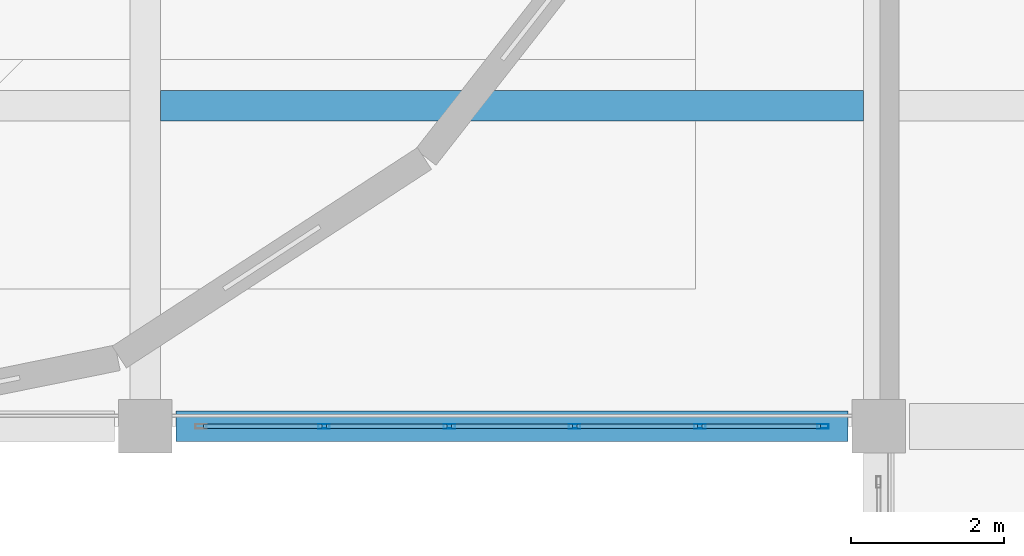
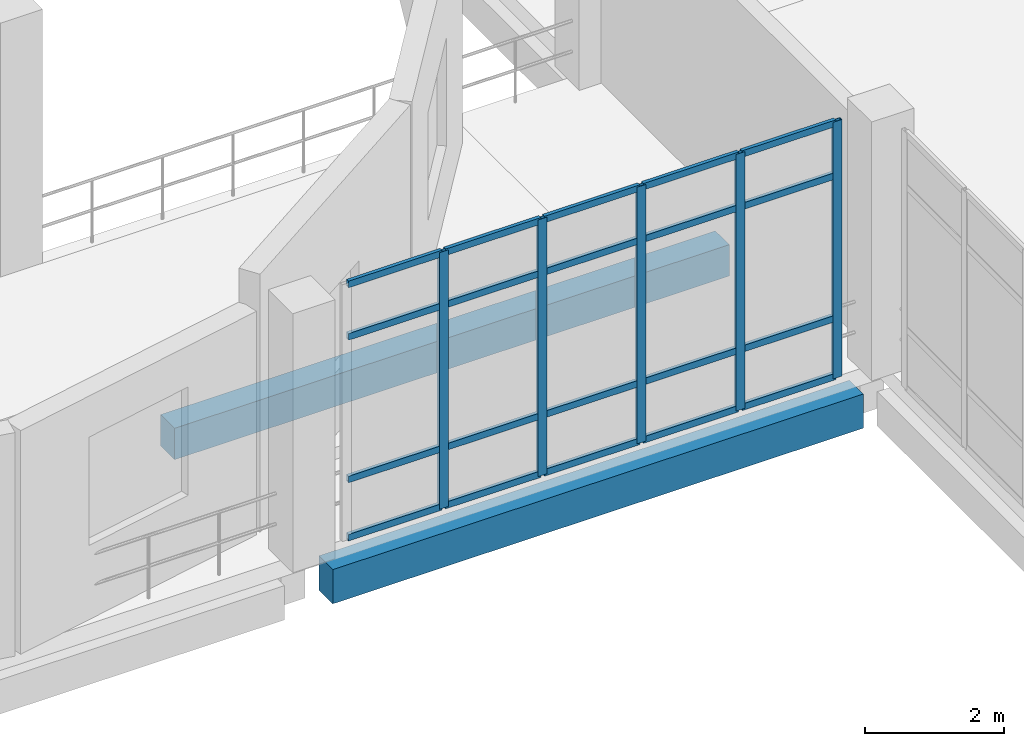
# One storey, part 46 of 102: 25 members, 2 beams, 1 element without a shape of its own.
"""IFC4 building model written with IfcOpenShell, lengths in metres."""

from ifc_helpers import new_model, si_unit, direction, frame, origin, origin_2d, place, context, subcontext, project, spatial, rectangle, hollow_rectangle, extrude, material, layer, layer_set, material_profile, profile_set, type_object, element, aggregate, save


model = new_model("IFC4")

# Units and contexts
model_context = context("Model", 3, precision=1e-05, world=origin(), true_north=direction((0.0, 1.0)))
body_context = subcontext(model_context, "Body", "Model", "MODEL_VIEW")
ifc_project = project(units=[si_unit("LENGTHUNIT", "METRE"), si_unit("AREAUNIT", "SQUARE_METRE"), si_unit("VOLUMEUNIT", "CUBIC_METRE"), si_unit("PLANEANGLEUNIT", "RADIAN"), si_unit("MASSUNIT", "GRAM", prefix="KILO")], contexts=[model_context])

# Site, building, storey
site_placement = place(None, origin())
site = spatial("IfcSite", under=ifc_project, at=site_placement, CompositionType="ELEMENT")
building_placement = place(site_placement, origin())
building = spatial("IfcBuilding", under=site, at=building_placement, Name="Lornevale Opera House", CompositionType="ELEMENT")
storey_placement = place(building_placement, frame((0.0, 0.0, 5.39990234375)))
storey = spatial("IfcBuildingStorey", under=building, at=storey_placement, Name="L02", CompositionType="ELEMENT", Elevation=5.39990234375)

# Beams
ifc_material_1 = material(Name="Concrete 35 MPa (CSA A23.1 N)", Category="concrete")
ifc_material_profile_1 = material_profile(ifc_material_1, rectangle(XDim=0.39990234375, YDim=0.550048828125, at=origin_2d()), Name="RC400x550")
ifc_profile_set_1 = profile_set([ifc_material_profile_1], Name="Concrete 35 MPa (CSA A23.1 N)")
beam_type_1 = type_object("IfcBeamType", Name="Auditorium Tier Raker Beam 400x550", PredefinedType="JOIST", material=ifc_profile_set_1)
beam_1_placement = place(storey_placement, frame((86.60009765625, 37.800048828125, -0.574951171875), z_axis=(1.0, 0.0, 0.0), x_axis=(0.0, 1.0, 0.0)))
element("IfcBeam", 1, at=beam_1_placement, inside=storey, type_object=beam_type_1, Name="Auditorium Tier Raker Beam 400x550 2030", PredefinedType="JOIST", context=body_context, shape_type="SweptSolid", body=[
    extrude(rectangle(XDim=0.39990234375, YDim=0.550048828125, at=origin_2d()), origin(), (0.0, 0.0, 1.0), 9.199951171875),
])
ifc_material_profile_2 = material_profile(ifc_material_1, rectangle(XDim=0.39990234375, YDim=0.60009765625, at=origin_2d()), Name="RC400x600")
ifc_profile_set_2 = profile_set([ifc_material_profile_2], Name="Concrete 35 MPa (CSA A23.1 N)")
beam_type_2 = type_object("IfcBeamType", Name="Concrete Spandrel Beam 400x600", PredefinedType="SPANDREL", material=ifc_profile_set_2)
beam_2_placement = place(storey_placement, frame((86.800048828125, 33.60009765625, -0.599853515625), z_axis=(1.0, 0.0, 0.0), x_axis=(0.0, 1.0, 0.0)))
element("IfcBeam", 2, at=beam_2_placement, inside=storey, type_object=beam_type_2, Name="Concrete Spandrel Beam 400x600 1715", PredefinedType="SPANDREL", context=body_context, shape_type="SweptSolid", body=[
    extrude(rectangle(XDim=0.39990234375, YDim=0.60009765625, at=origin_2d()), origin(), (0.0, 0.0, 1.0), 8.800048828125),
])

# Curtain wall, members
ifc_material_2 = material(Name="Anodized Oxide-Green Aluminium Framing", Category="aluminium")
ifc_layer = layer(ifc_material_2, 0.14990234375)
ifc_layer_set = layer_set([ifc_layer], Name="Anodized Oxide-Green Aluminium Framing")
curtain_wall_type = type_object("IfcCurtainWallType", Name="North-Light Clerestory Curtain Wall M1600", PredefinedType="NOTDEFINED", material=ifc_layer_set)
curtain_wall_placement = place(storey_placement, origin())
curtain_wall = element("IfcCurtainWall", 3, at=curtain_wall_placement, inside=storey, type_object=curtain_wall_type, Name="North-Light Clerestory Curtain Wall M1600 CW-176", PredefinedType="NOTDEFINED")
ifc_material_profile_3 = material_profile(ifc_material_2, hollow_rectangle(XDim=0.06005859375, YDim=0.14990234375, WallThickness=0.00390625, at=origin_2d()), Name="ALU60x150x4")
ifc_profile_set_3 = profile_set([ifc_material_profile_3], Name="Anodized Oxide-Green Aluminium Framing")
member_type_1 = type_object("IfcMemberType", Name="Curtain Wall Mullion 60x150", PredefinedType="MULLION", material=ifc_profile_set_3)
member_1_placement = place(storey_placement, frame((88.739990234375, 33.60009765625, 0.0), z_axis=(0.0, 0.0, 1.0), x_axis=(0.0, 1.0, 0.0)))
member_1 = element("IfcMember", 4, at=member_1_placement, type_object=member_type_1, Name="Curtain Wall Mullion 60x150 CW3633", PredefinedType="MULLION", context=body_context, shape_type="SweptSolid", body=[
    extrude(hollow_rectangle(XDim=0.06005859375, YDim=0.14990234375, WallThickness=0.00390625, at=origin_2d()), origin(), (0.0, 0.0, 1.0), 4.5),
])
member_2_placement = place(storey_placement, frame((90.3798828125, 33.60009765625, 0.0), z_axis=(0.0, 0.0, 1.0), x_axis=(0.0, 1.0, 0.0)))
member_2 = element("IfcMember", 5, at=member_2_placement, type_object=member_type_1, Name="Curtain Wall Mullion 60x150 CW3634", PredefinedType="MULLION", context=body_context, shape_type="SweptSolid", body=[
    extrude(hollow_rectangle(XDim=0.06005859375, YDim=0.14990234375, WallThickness=0.00390625, at=origin_2d()), origin(), (0.0, 0.0, 1.0), 4.5),
])
member_3_placement = place(storey_placement, frame((92.02001953125, 33.60009765625, 0.0), z_axis=(0.0, 0.0, 1.0), x_axis=(0.0, 1.0, 0.0)))
member_3 = element("IfcMember", 6, at=member_3_placement, type_object=member_type_1, Name="Curtain Wall Mullion 60x150 CW3635", PredefinedType="MULLION", context=body_context, shape_type="SweptSolid", body=[
    extrude(hollow_rectangle(XDim=0.06005859375, YDim=0.14990234375, WallThickness=0.00390625, at=origin_2d()), origin(), (0.0, 0.0, 1.0), 4.5),
])
member_4_placement = place(storey_placement, frame((93.659912109375, 33.60009765625, 0.0), z_axis=(0.0, 0.0, 1.0), x_axis=(0.0, 1.0, 0.0)))
member_4 = element("IfcMember", 7, at=member_4_placement, type_object=member_type_1, Name="Curtain Wall Mullion 60x150 CW3636", PredefinedType="MULLION", context=body_context, shape_type="SweptSolid", body=[
    extrude(hollow_rectangle(XDim=0.06005859375, YDim=0.14990234375, WallThickness=0.00390625, at=origin_2d()), origin(), (0.0, 0.0, 1.0), 4.5),
])
member_5_placement = place(storey_placement, frame((95.27001953125, 33.60009765625, 0.0), z_axis=(0.0, 0.0, 1.0), x_axis=(0.0, 1.0, 0.0)))
member_5 = element("IfcMember", 8, at=member_5_placement, type_object=member_type_1, Name="Curtain Wall Mullion 60x150 CW3637", PredefinedType="MULLION", context=body_context, shape_type="SweptSolid", body=[
    extrude(hollow_rectangle(XDim=0.06005859375, YDim=0.14990234375, WallThickness=0.00390625, at=origin_2d()), origin(), (0.0, 0.0, 1.0), 4.5),
])
ifc_material_profile_4 = material_profile(ifc_material_2, hollow_rectangle(XDim=0.06005859375, YDim=0.114990234375, WallThickness=0.00390625, at=origin_2d()), Name="ALU60x115x4")
ifc_profile_set_4 = profile_set([ifc_material_profile_4], Name="Anodized Oxide-Green Aluminium Framing")
member_type_2 = type_object("IfcMemberType", Name="Curtain Wall Transom 60x115", PredefinedType="USERDEFINED", material=ifc_profile_set_4)
member_6_placement = place(storey_placement, frame((87.159912109375, 33.60009765625, 0.030029296875), z_axis=(1.0, 0.0, 0.0), x_axis=(0.0, 1.0, 0.0)))
member_6 = element("IfcMember", 9, at=member_6_placement, type_object=member_type_2, Name="Curtain Wall Transom 60x115 CW3638", ObjectType="TRANSOM", PredefinedType="USERDEFINED", context=body_context, shape_type="SweptSolid", body=[
    extrude(hollow_rectangle(XDim=0.06005859375, YDim=0.114990234375, WallThickness=0.00390625, at=origin_2d()), origin(), (0.0, 0.0, 1.0), 1.550048828125),
])
member_7_placement = place(storey_placement, frame((87.159912109375, 33.60009765625, 1.050048828125), z_axis=(1.0, 0.0, 0.0), x_axis=(0.0, 1.0, 0.0)))
member_7 = element("IfcMember", 10, at=member_7_placement, type_object=member_type_2, Name="Curtain Wall Transom 60x115 CW3639", ObjectType="TRANSOM", PredefinedType="USERDEFINED", context=body_context, shape_type="SweptSolid", body=[
    extrude(hollow_rectangle(XDim=0.06005859375, YDim=0.114990234375, WallThickness=0.00390625, at=origin_2d()), origin(), (0.0, 0.0, 1.0), 1.550048828125),
])
member_8_placement = place(storey_placement, frame((87.159912109375, 33.60009765625, 3.550048828125), z_axis=(1.0, 0.0, 0.0), x_axis=(0.0, 1.0, 0.0)))
member_8 = element("IfcMember", 11, at=member_8_placement, type_object=member_type_2, Name="Curtain Wall Transom 60x115 CW3640", ObjectType="TRANSOM", PredefinedType="USERDEFINED", context=body_context, shape_type="SweptSolid", body=[
    extrude(hollow_rectangle(XDim=0.06005859375, YDim=0.114990234375, WallThickness=0.00390625, at=origin_2d()), origin(), (0.0, 0.0, 1.0), 1.550048828125),
])
member_9_placement = place(storey_placement, frame((87.159912109375, 33.60009765625, 4.47021484375), z_axis=(1.0, 0.0, 0.0), x_axis=(0.0, 1.0, 0.0)))
member_9 = element("IfcMember", 12, at=member_9_placement, type_object=member_type_2, Name="Curtain Wall Transom 60x115 CW3641", ObjectType="TRANSOM", PredefinedType="USERDEFINED", context=body_context, shape_type="SweptSolid", body=[
    extrude(hollow_rectangle(XDim=0.06005859375, YDim=0.114990234375, WallThickness=0.00390625, at=origin_2d()), origin(), (0.0, 0.0, 1.0), 1.550048828125),
])
member_10_placement = place(storey_placement, frame((88.77001953125, 33.60009765625, 0.030029296875), z_axis=(1.0, 0.0, 0.0), x_axis=(0.0, 1.0, 0.0)))
member_10 = element("IfcMember", 13, at=member_10_placement, type_object=member_type_2, Name="Curtain Wall Transom 60x115 CW3645", ObjectType="TRANSOM", PredefinedType="USERDEFINED", context=body_context, shape_type="SweptSolid", body=[
    extrude(hollow_rectangle(XDim=0.06005859375, YDim=0.114990234375, WallThickness=0.00390625, at=origin_2d()), origin(), (0.0, 0.0, 1.0), 1.580078125),
])
member_11_placement = place(storey_placement, frame((88.77001953125, 33.60009765625, 1.050048828125), z_axis=(1.0, 0.0, 0.0), x_axis=(0.0, 1.0, 0.0)))
member_11 = element("IfcMember", 14, at=member_11_placement, type_object=member_type_2, Name="Curtain Wall Transom 60x115 CW3646", ObjectType="TRANSOM", PredefinedType="USERDEFINED", context=body_context, shape_type="SweptSolid", body=[
    extrude(hollow_rectangle(XDim=0.06005859375, YDim=0.114990234375, WallThickness=0.00390625, at=origin_2d()), origin(), (0.0, 0.0, 1.0), 1.580078125),
])
member_12_placement = place(storey_placement, frame((88.77001953125, 33.60009765625, 3.550048828125), z_axis=(1.0, 0.0, 0.0), x_axis=(0.0, 1.0, 0.0)))
member_12 = element("IfcMember", 15, at=member_12_placement, type_object=member_type_2, Name="Curtain Wall Transom 60x115 CW3647", ObjectType="TRANSOM", PredefinedType="USERDEFINED", context=body_context, shape_type="SweptSolid", body=[
    extrude(hollow_rectangle(XDim=0.06005859375, YDim=0.114990234375, WallThickness=0.00390625, at=origin_2d()), origin(), (0.0, 0.0, 1.0), 1.580078125),
])
member_13_placement = place(storey_placement, frame((88.77001953125, 33.60009765625, 4.47021484375), z_axis=(1.0, 0.0, 0.0), x_axis=(0.0, 1.0, 0.0)))
member_13 = element("IfcMember", 16, at=member_13_placement, type_object=member_type_2, Name="Curtain Wall Transom 60x115 CW3648", ObjectType="TRANSOM", PredefinedType="USERDEFINED", context=body_context, shape_type="SweptSolid", body=[
    extrude(hollow_rectangle(XDim=0.06005859375, YDim=0.114990234375, WallThickness=0.00390625, at=origin_2d()), origin(), (0.0, 0.0, 1.0), 1.580078125),
])
member_14_placement = place(storey_placement, frame((90.409912109375, 33.60009765625, 0.030029296875), z_axis=(1.0, 0.0, 0.0), x_axis=(0.0, 1.0, 0.0)))
member_14 = element("IfcMember", 17, at=member_14_placement, type_object=member_type_2, Name="Curtain Wall Transom 60x115 CW3652", ObjectType="TRANSOM", PredefinedType="USERDEFINED", context=body_context, shape_type="SweptSolid", body=[
    extrude(hollow_rectangle(XDim=0.06005859375, YDim=0.114990234375, WallThickness=0.00390625, at=origin_2d()), origin(), (0.0, 0.0, 1.0), 1.580078125),
])
member_15_placement = place(storey_placement, frame((90.409912109375, 33.60009765625, 1.050048828125), z_axis=(1.0, 0.0, 0.0), x_axis=(0.0, 1.0, 0.0)))
member_15 = element("IfcMember", 18, at=member_15_placement, type_object=member_type_2, Name="Curtain Wall Transom 60x115 CW3653", ObjectType="TRANSOM", PredefinedType="USERDEFINED", context=body_context, shape_type="SweptSolid", body=[
    extrude(hollow_rectangle(XDim=0.06005859375, YDim=0.114990234375, WallThickness=0.00390625, at=origin_2d()), origin(), (0.0, 0.0, 1.0), 1.580078125),
])
member_16_placement = place(storey_placement, frame((90.409912109375, 33.60009765625, 3.550048828125), z_axis=(1.0, 0.0, 0.0), x_axis=(0.0, 1.0, 0.0)))
member_16 = element("IfcMember", 19, at=member_16_placement, type_object=member_type_2, Name="Curtain Wall Transom 60x115 CW3654", ObjectType="TRANSOM", PredefinedType="USERDEFINED", context=body_context, shape_type="SweptSolid", body=[
    extrude(hollow_rectangle(XDim=0.06005859375, YDim=0.114990234375, WallThickness=0.00390625, at=origin_2d()), origin(), (0.0, 0.0, 1.0), 1.580078125),
])
member_17_placement = place(storey_placement, frame((90.409912109375, 33.60009765625, 4.47021484375), z_axis=(1.0, 0.0, 0.0), x_axis=(0.0, 1.0, 0.0)))
member_17 = element("IfcMember", 20, at=member_17_placement, type_object=member_type_2, Name="Curtain Wall Transom 60x115 CW3655", ObjectType="TRANSOM", PredefinedType="USERDEFINED", context=body_context, shape_type="SweptSolid", body=[
    extrude(hollow_rectangle(XDim=0.06005859375, YDim=0.114990234375, WallThickness=0.00390625, at=origin_2d()), origin(), (0.0, 0.0, 1.0), 1.580078125),
])
member_18_placement = place(storey_placement, frame((92.050048828125, 33.60009765625, 0.030029296875), z_axis=(1.0, 0.0, 0.0), x_axis=(0.0, 1.0, 0.0)))
member_18 = element("IfcMember", 21, at=member_18_placement, type_object=member_type_2, Name="Curtain Wall Transom 60x115 CW3659", ObjectType="TRANSOM", PredefinedType="USERDEFINED", context=body_context, shape_type="SweptSolid", body=[
    extrude(hollow_rectangle(XDim=0.06005859375, YDim=0.114990234375, WallThickness=0.00390625, at=origin_2d()), origin(), (0.0, 0.0, 1.0), 1.579833984375),
])
member_19_placement = place(storey_placement, frame((92.050048828125, 33.60009765625, 1.050048828125), z_axis=(1.0, 0.0, 0.0), x_axis=(0.0, 1.0, 0.0)))
member_19 = element("IfcMember", 22, at=member_19_placement, type_object=member_type_2, Name="Curtain Wall Transom 60x115 CW3660", ObjectType="TRANSOM", PredefinedType="USERDEFINED", context=body_context, shape_type="SweptSolid", body=[
    extrude(hollow_rectangle(XDim=0.06005859375, YDim=0.114990234375, WallThickness=0.00390625, at=origin_2d()), origin(), (0.0, 0.0, 1.0), 1.579833984375),
])
member_20_placement = place(storey_placement, frame((92.050048828125, 33.60009765625, 3.550048828125), z_axis=(1.0, 0.0, 0.0), x_axis=(0.0, 1.0, 0.0)))
member_20 = element("IfcMember", 23, at=member_20_placement, type_object=member_type_2, Name="Curtain Wall Transom 60x115 CW3661", ObjectType="TRANSOM", PredefinedType="USERDEFINED", context=body_context, shape_type="SweptSolid", body=[
    extrude(hollow_rectangle(XDim=0.06005859375, YDim=0.114990234375, WallThickness=0.00390625, at=origin_2d()), origin(), (0.0, 0.0, 1.0), 1.579833984375),
])
member_21_placement = place(storey_placement, frame((92.050048828125, 33.60009765625, 4.47021484375), z_axis=(1.0, 0.0, 0.0), x_axis=(0.0, 1.0, 0.0)))
member_21 = element("IfcMember", 24, at=member_21_placement, type_object=member_type_2, Name="Curtain Wall Transom 60x115 CW3662", ObjectType="TRANSOM", PredefinedType="USERDEFINED", context=body_context, shape_type="SweptSolid", body=[
    extrude(hollow_rectangle(XDim=0.06005859375, YDim=0.114990234375, WallThickness=0.00390625, at=origin_2d()), origin(), (0.0, 0.0, 1.0), 1.579833984375),
])
member_22_placement = place(storey_placement, frame((93.68994140625, 33.60009765625, 0.030029296875), z_axis=(1.0, 0.0, 0.0), x_axis=(0.0, 1.0, 0.0)))
member_22 = element("IfcMember", 25, at=member_22_placement, type_object=member_type_2, Name="Curtain Wall Transom 60x115 CW3666", ObjectType="TRANSOM", PredefinedType="USERDEFINED", context=body_context, shape_type="SweptSolid", body=[
    extrude(hollow_rectangle(XDim=0.06005859375, YDim=0.114990234375, WallThickness=0.00390625, at=origin_2d()), origin(), (0.0, 0.0, 1.0), 1.550048828125),
])
member_23_placement = place(storey_placement, frame((93.68994140625, 33.60009765625, 1.050048828125), z_axis=(1.0, 0.0, 0.0), x_axis=(0.0, 1.0, 0.0)))
member_23 = element("IfcMember", 26, at=member_23_placement, type_object=member_type_2, Name="Curtain Wall Transom 60x115 CW3667", ObjectType="TRANSOM", PredefinedType="USERDEFINED", context=body_context, shape_type="SweptSolid", body=[
    extrude(hollow_rectangle(XDim=0.06005859375, YDim=0.114990234375, WallThickness=0.00390625, at=origin_2d()), origin(), (0.0, 0.0, 1.0), 1.550048828125),
])
member_24_placement = place(storey_placement, frame((93.68994140625, 33.60009765625, 3.550048828125), z_axis=(1.0, 0.0, 0.0), x_axis=(0.0, 1.0, 0.0)))
member_24 = element("IfcMember", 27, at=member_24_placement, type_object=member_type_2, Name="Curtain Wall Transom 60x115 CW3668", ObjectType="TRANSOM", PredefinedType="USERDEFINED", context=body_context, shape_type="SweptSolid", body=[
    extrude(hollow_rectangle(XDim=0.06005859375, YDim=0.114990234375, WallThickness=0.00390625, at=origin_2d()), origin(), (0.0, 0.0, 1.0), 1.550048828125),
])
member_25_placement = place(storey_placement, frame((93.68994140625, 33.60009765625, 4.47021484375), z_axis=(1.0, 0.0, 0.0), x_axis=(0.0, 1.0, 0.0)))
member_25 = element("IfcMember", 28, at=member_25_placement, type_object=member_type_2, Name="Curtain Wall Transom 60x115 CW3669", ObjectType="TRANSOM", PredefinedType="USERDEFINED", context=body_context, shape_type="SweptSolid", body=[
    extrude(hollow_rectangle(XDim=0.06005859375, YDim=0.114990234375, WallThickness=0.00390625, at=origin_2d()), origin(), (0.0, 0.0, 1.0), 1.550048828125),
])
aggregate(curtain_wall, [member_1, member_2, member_3, member_4, member_5, member_6, member_7, member_8, member_9, member_10, member_11, member_12, member_13, member_14, member_15, member_16, member_17, member_18, member_19, member_20, member_21, member_22, member_23, member_24, member_25])

save(model, "model.ifc")
